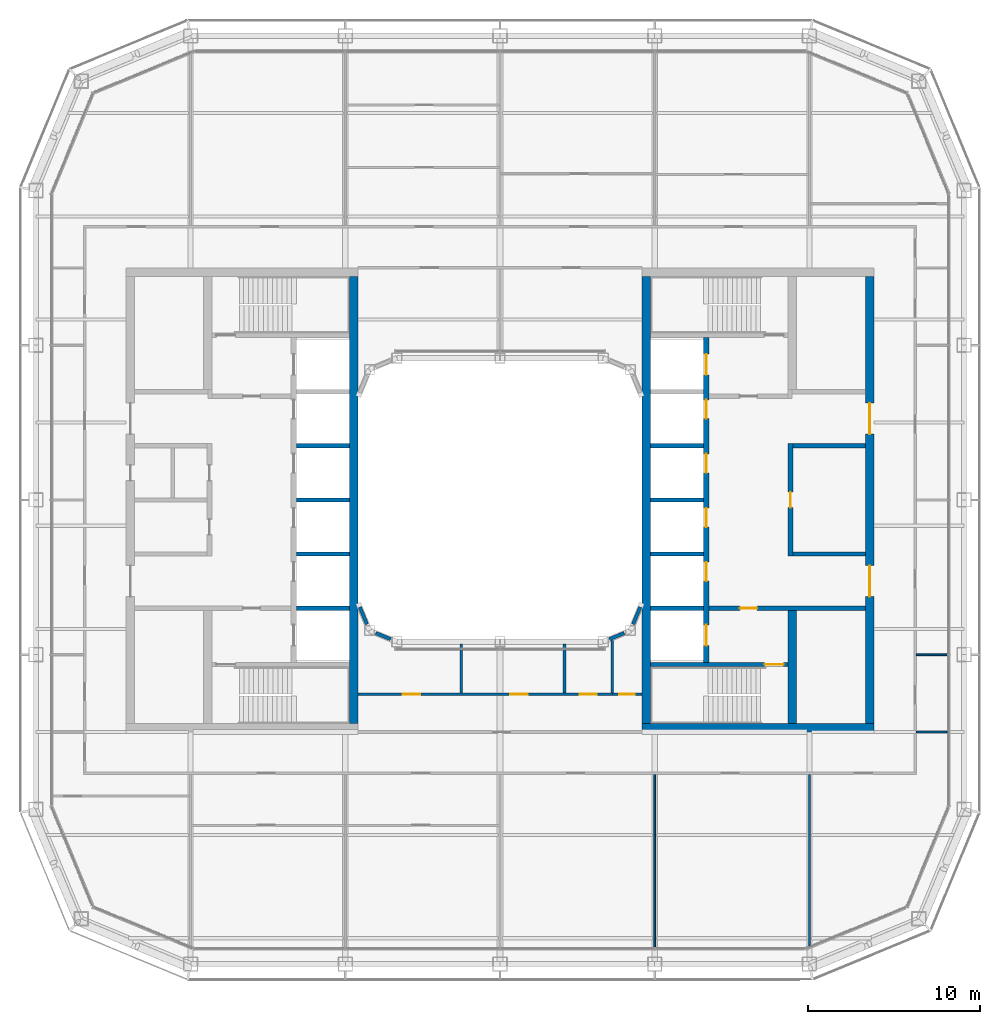
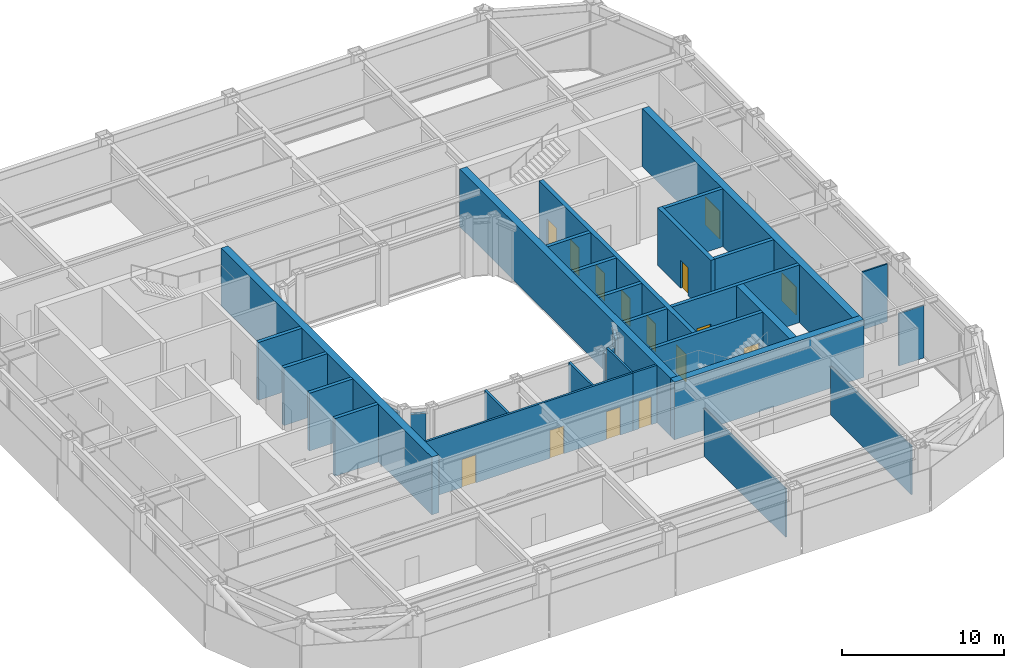
# One storey, part 13 of 19: 32 walls, 15 doors, 15 openings.
"""IFC4 building model written with IfcOpenShell, lengths in metres."""

from ifc_helpers import new_model, si_unit, direction, frame, frame_2d, origin, place, context, subcontext, project, spatial, rectangle, extrude, material, layer, layer_set, type_object, element, fill, save


model = new_model("IFC4")

# Units and contexts
model_context = context("Model", 3, precision=1e-05, world=origin(), true_north=direction((0.0, 1.0)))
body_context = subcontext(model_context, "Body", "Model", "MODEL_VIEW")
ifc_project = project(units=[si_unit("LENGTHUNIT", "METRE"), si_unit("AREAUNIT", "SQUARE_METRE"), si_unit("VOLUMEUNIT", "CUBIC_METRE"), si_unit("PLANEANGLEUNIT", "RADIAN"), si_unit("MASSUNIT", "GRAM", prefix="KILO")], contexts=[model_context])

# Site, building, storey
site_placement = place(None, origin())
site = spatial("IfcSite", under=ifc_project, at=site_placement, CompositionType="ELEMENT")
building_placement = place(site_placement, origin())
building = spatial("IfcBuilding", under=site, at=building_placement, Name="Siwar Civic Tower", CompositionType="ELEMENT")
storey_placement = place(building_placement, frame((0.0, 0.0, 210.699951171875)))
storey = spatial("IfcBuildingStorey", under=building, at=storey_placement, Name="L45", CompositionType="ELEMENT", Elevation=210.699951171875)

# Wall, opening, door
ifc_material_1 = material(Name="Gypsum board on steel studs", Category="steel")
ifc_layer_1 = layer(ifc_material_1, 0.14990234375)
ifc_layer_set_1 = layer_set([ifc_layer_1], Name="Gypsum board on steel studs")
wall_type_1 = type_object("IfcWallType", Name="COMPARTMENT PARTITION 150 EI 60", PredefinedType="PARTITIONING", material=ifc_layer_set_1)
wall_1_placement = place(storey_placement, frame((6.5400390625, -11.300048828125, 0.0), z_axis=(0.0, 0.0, 1.0), x_axis=(1.0, 0.0, 0.0)))
wall_1 = element("IfcWall", 1, at=wall_1_placement, inside=storey, type_object=wall_type_1, Name="L45/wall/P08", PredefinedType="PARTITIONING", context=body_context, shape_type="SweptSolid", body=[
    extrude(rectangle(XDim=1.7099609375, YDim=0.14990234375, at=frame_2d((0.85498046875, 0.0))), origin(), (0.0, 0.0, 1.0), 4.35009765625),
])
opening_1_placement = place(wall_1_placement, frame((0.409912109375, 0.0, 0.0)))
opening_1 = element("IfcOpeningElement", 2, at=opening_1_placement, cuts=wall_1, Name="Opening D4", PredefinedType="OPENING", context=body_context, shape_type="SweptSolid", body=[
    extrude(rectangle(XDim=0.89990234375, YDim=2.10009765625, at=frame_2d((0.449951171875, 1.050048828125))), frame((0.0, 0.0849609375, 0.0), z_axis=(0.0, -1.0, 0.0), x_axis=(1.0, 0.0, 0.0)), (0.0, 0.0, 1.0), 0.169921875),
])
ifc_material_2 = material(Name="Timber, painted", Category="wood")
door_type_1 = type_object("IfcDoorType", Name="DOOR 900 X 2100 FD60", OperationType="SINGLE_SWING_LEFT", PredefinedType="DOOR", material=ifc_material_2)
door_1_placement = place(opening_1_placement, origin())
door_1 = element("IfcDoor", 3, at=door_1_placement, inside=storey, type_object=door_type_1, Name="L45-D35", OperationType="SINGLE_SWING_LEFT", OverallHeight=2.10009765625, OverallWidth=0.89990234375, PredefinedType="DOOR", context=body_context, shape_type="SweptSolid", body=[
    extrude(rectangle(XDim=0.89990234375, YDim=2.10009765625, at=frame_2d((0.449951171875, 1.050048828125))), frame((0.0, 0.02490234375, 0.0), z_axis=(0.0, -1.0, 0.0), x_axis=(1.0, 0.0, 0.0)), (0.0, 0.0, 1.0), 0.050048828125),
])
fill(opening_1, door_1)

# Walls
wall_2_placement = place(storey_placement, frame((6.5400390625, -11.22509765625, 0.0), z_axis=(0.0, 0.0, 1.0), x_axis=(0.0, 1.0, 0.0)))
element("IfcWall", 4, at=wall_2_placement, inside=storey, type_object=wall_type_1, Name="L45/wall/P35", PredefinedType="PARTITIONING", context=body_context, shape_type="SweptSolid", body=[
    extrude(rectangle(XDim=3.0390625, YDim=0.14990234375, at=frame_2d((1.51953125, 0.0))), origin(), (0.0, 0.0, 1.0), 4.35009765625),
])
ifc_material_3 = material(Name="Concrete C60/75", Category="concrete")
ifc_layer_2 = layer(ifc_material_3, 0.25)
ifc_layer_set_2 = layer_set([ifc_layer_2], Name="Concrete C60/75")
wall_type_2 = type_object("IfcWallType", Name="CORE-WALL-RC250", PredefinedType="SHEAR", material=ifc_layer_set_2)
for number, where, z_axis, x_axis, name in (
    (5, (-8.75, 0.0, 0.0), (0.0, 0.0, 1.0), (-1.0, 0.0, 0.0), "Core wall W"),
    (6, (-8.75, 3.14990234375, 0.0), (0.0, 0.0, 1.0), (-1.0, 0.0, 0.0), "Core wall W"),
    (7, (-8.75, -3.14990234375, 0.0), (0.0, 0.0, 1.0), (-1.0, 0.0, 0.0), "Core wall W"),
    (8, (-8.75, -6.300048828125, 0.0), (0.0, 0.0, 1.0), (-1.0, 0.0, 0.0), "Core wall W"),
):
    element("IfcWall", number, at=place(storey_placement, frame(where, z_axis=z_axis, x_axis=x_axis)), inside=storey, type_object=wall_type_2, Name=name, PredefinedType="SHEAR", context=body_context, shape_type="SweptSolid", body=[
        extrude(rectangle(XDim=3.10009765625, YDim=0.25, at=frame_2d((1.550048828125, 0.0))), origin(), (0.0, 0.0, 1.0), 4.35009765625),
    ])

# Wall, opening, door
wall_3_placement = place(storey_placement, frame((12.14990234375, -6.300048828125, 0.0), z_axis=(0.0, 0.0, 1.0), x_axis=(1.0, 0.0, 0.0)))
wall_3 = element("IfcWall", 9, at=wall_3_placement, inside=storey, type_object=wall_type_2, Name="Core wall E", PredefinedType="SHEAR", context=body_context, shape_type="SweptSolid", body=[
    extrude(rectangle(XDim=9.10009765625, YDim=0.25, at=frame_2d((4.550048828125, 0.0))), origin(), (0.0, 0.0, 1.0), 4.35009765625),
])
opening_2_placement = place(wall_3_placement, frame((1.800048828125, 0.0, 0.0)))
opening_2 = element("IfcOpeningElement", 10, at=opening_2_placement, cuts=wall_3, Name="Opening L45-CE02", PredefinedType="OPENING", context=body_context, shape_type="SweptSolid", body=[
    extrude(rectangle(XDim=1.0, YDim=2.10009765625, at=frame_2d((0.5, 1.050048828125))), frame((0.0, 0.135009765625, 0.0), z_axis=(0.0, -1.0, 0.0), x_axis=(1.0, 0.0, 0.0)), (0.0, 0.0, 1.0), 0.27001953125),
])
ifc_material_4 = material(Name="Steel door leaf", Category="steel")
door_type_2 = type_object("IfcDoorType", Name="CORE-DOOR-FD30S", OperationType="SINGLE_SWING_LEFT", PredefinedType="DOOR", material=ifc_material_4)
door_2_placement = place(opening_2_placement, origin())
door_2 = element("IfcDoor", 11, at=door_2_placement, inside=storey, type_object=door_type_2, Name="Service lobby door L45-CE02", OperationType="SINGLE_SWING_LEFT", OverallHeight=2.10009765625, OverallWidth=1.0, PredefinedType="DOOR", context=body_context, shape_type="SweptSolid", body=[
    extrude(rectangle(XDim=1.0, YDim=2.10009765625, at=frame_2d((0.5, 1.050048828125))), frame((0.0, 0.02490234375, 0.0), z_axis=(0.0, -1.0, 0.0), x_axis=(1.0, 0.0, 0.0)), (0.0, 0.0, 1.0), 0.050048828125),
])
fill(opening_2, door_2)

# Walls
for number, where, z_axis, x_axis, name in (
    (12, (17.050048828125, 3.14990234375, 0.0), (0.0, 0.0, 1.0), (1.0, 0.0, 0.0), "Core wall E"),
    (13, (17.050048828125, -3.14990234375, 0.0), (0.0, 0.0, 1.0), (1.0, 0.0, 0.0), "Core wall E"),
):
    element("IfcWall", number, at=place(storey_placement, frame(where, z_axis=z_axis, x_axis=x_axis)), inside=storey, type_object=wall_type_2, Name=name, PredefinedType="SHEAR", context=body_context, shape_type="SweptSolid", body=[
        extrude(rectangle(XDim=4.199951171875, YDim=0.25, at=frame_2d((2.10009765625, 0.0))), origin(), (0.0, 0.0, 1.0), 4.35009765625),
    ])
for number, where, z_axis, x_axis, name in (
    (14, (8.75, 0.0, 0.0), (0.0, 0.0, 1.0), (1.0, 0.0, 0.0), "Core wall E"),
    (15, (8.75, 3.14990234375, 0.0), (0.0, 0.0, 1.0), (1.0, 0.0, 0.0), "Core wall E"),
    (16, (8.75, -3.14990234375, 0.0), (0.0, 0.0, 1.0), (1.0, 0.0, 0.0), "Core wall E"),
    (17, (8.75, -6.300048828125, 0.0), (0.0, 0.0, 1.0), (1.0, 0.0, 0.0), "Core wall E"),
):
    element("IfcWall", number, at=place(storey_placement, frame(where, z_axis=z_axis, x_axis=x_axis)), inside=storey, type_object=wall_type_2, Name=name, PredefinedType="SHEAR", context=body_context, shape_type="SweptSolid", body=[
        extrude(rectangle(XDim=3.10009765625, YDim=0.25, at=frame_2d((1.550048828125, 0.0))), origin(), (0.0, 0.0, 1.0), 4.35009765625),
    ])

# Wall, opening, door
wall_4_placement = place(storey_placement, frame((8.75, -9.574951171875, 0.0), z_axis=(0.0, 0.0, 1.0), x_axis=(1.0, 0.0, 0.0)))
wall_4 = element("IfcWall", 18, at=wall_4_placement, inside=storey, type_object=wall_type_2, Name="Core wall E", PredefinedType="SHEAR", context=body_context, shape_type="SweptSolid", body=[
    extrude(rectangle(XDim=8.0, YDim=0.25, at=frame_2d((4.0, 0.0))), origin(), (0.0, 0.0, 1.0), 4.35009765625),
])
opening_3_placement = place(wall_4_placement, frame((6.64990234375, 0.0, 0.0)))
opening_3 = element("IfcOpeningElement", 19, at=opening_3_placement, cuts=wall_4, Name="Opening L45-CE04", PredefinedType="OPENING", context=body_context, shape_type="SweptSolid", body=[
    extrude(rectangle(XDim=1.10009765625, YDim=2.10009765625, at=frame_2d((0.550048828125, 1.050048828125))), frame((0.0, 0.135009765625, 0.0), z_axis=(0.0, -1.0, 0.0), x_axis=(1.0, 0.0, 0.0)), (0.0, 0.0, 1.0), 0.27001953125),
])
ifc_material_5 = material(Name="Steel door leaf", Category="steel")
door_type_3 = type_object("IfcDoorType", Name="CORE-DOOR-FD60S", OperationType="SINGLE_SWING_LEFT", PredefinedType="DOOR", material=ifc_material_5)
door_3_placement = place(opening_3_placement, origin())
door_3 = element("IfcDoor", 20, at=door_3_placement, inside=storey, type_object=door_type_3, Name="Stair door L45-CE04", OperationType="SINGLE_SWING_RIGHT", OverallHeight=2.10009765625, OverallWidth=1.10009765625, PredefinedType="DOOR", context=body_context, shape_type="SweptSolid", body=[
    extrude(rectangle(XDim=1.10009765625, YDim=2.10009765625, at=frame_2d((0.550048828125, 1.050048828125))), frame((0.0, 0.02490234375, 0.0), z_axis=(0.0, -1.0, 0.0), x_axis=(1.0, 0.0, 0.0)), (0.0, 0.0, 1.0), 0.050048828125),
])
fill(opening_3, door_3)

# Wall, openings, doors
ifc_material_6 = material(Name="Concrete C60/75", Category="concrete")
ifc_layer_3 = layer(ifc_material_6, 0.300048828125)
ifc_layer_set_3 = layer_set([ifc_layer_3], Name="Concrete C60/75")
wall_type_3 = type_object("IfcWallType", Name="CORE-WALL-RC300", PredefinedType="SHEAR", material=ifc_layer_set_3)
wall_5_placement = place(storey_placement, frame((12.0, -9.449951171875, 0.0), z_axis=(0.0, 0.0, 1.0), x_axis=(0.0, 1.0, 0.0)))
wall_5 = element("IfcWall", 21, at=wall_5_placement, inside=storey, type_object=wall_type_3, Name="Core wall E", PredefinedType="SHEAR", context=body_context, shape_type="SweptSolid", body=[
    extrude(rectangle(XDim=18.89990234375, YDim=0.300048828125, at=frame_2d((9.449951171875, 0.0))), origin(), (0.0, 0.0, 1.0), 4.35009765625),
])
opening_4_placement = place(wall_5_placement, frame((4.72509765625, 0.0, 0.0)))
opening_4 = element("IfcOpeningElement", 22, at=opening_4_placement, cuts=wall_5, Name="Opening L45-CE07", PredefinedType="OPENING", context=body_context, shape_type="SweptSolid", body=[
    extrude(rectangle(XDim=1.10009765625, YDim=2.10009765625, at=frame_2d((0.550048828125, 1.050048828125))), frame((0.0, 0.16015625, 0.0), z_axis=(0.0, -1.0, 0.0), x_axis=(1.0, 0.0, 0.0)), (0.0, 0.0, 1.0), 0.320068359375),
])
opening_5_placement = place(wall_5_placement, frame((7.875, 0.0, 0.0)))
opening_5 = element("IfcOpeningElement", 23, at=opening_5_placement, cuts=wall_5, Name="Opening L45-CE08", PredefinedType="OPENING", context=body_context, shape_type="SweptSolid", body=[
    extrude(rectangle(XDim=1.10009765625, YDim=2.10009765625, at=frame_2d((0.550048828125, 1.050048828125))), frame((0.0, 0.16015625, 0.0), z_axis=(0.0, -1.0, 0.0), x_axis=(1.0, 0.0, 0.0)), (0.0, 0.0, 1.0), 0.320068359375),
])
opening_6_placement = place(wall_5_placement, frame((11.02490234375, 0.0, 0.0)))
opening_6 = element("IfcOpeningElement", 24, at=opening_6_placement, cuts=wall_5, Name="Opening L45-CE09", PredefinedType="OPENING", context=body_context, shape_type="SweptSolid", body=[
    extrude(rectangle(XDim=1.10009765625, YDim=2.10009765625, at=frame_2d((0.550048828125, 1.050048828125))), frame((0.0, 0.16015625, 0.0), z_axis=(0.0, -1.0, 0.0), x_axis=(1.0, 0.0, 0.0)), (0.0, 0.0, 1.0), 0.320068359375),
])
opening_7_placement = place(wall_5_placement, frame((14.175048828125, 0.0, 0.0)))
opening_7 = element("IfcOpeningElement", 25, at=opening_7_placement, cuts=wall_5, Name="Opening L45-CE10", PredefinedType="OPENING", context=body_context, shape_type="SweptSolid", body=[
    extrude(rectangle(XDim=1.10009765625, YDim=2.10009765625, at=frame_2d((0.550048828125, 1.050048828125))), frame((0.0, 0.16015625, 0.0), z_axis=(0.0, -1.0, 0.0), x_axis=(1.0, 0.0, 0.0)), (0.0, 0.0, 1.0), 0.320068359375),
])
opening_8_placement = place(wall_5_placement, frame((16.72509765625, 0.0, 0.0)))
opening_8 = element("IfcOpeningElement", 26, at=opening_8_placement, cuts=wall_5, Name="Opening L45-CE11", PredefinedType="OPENING", context=body_context, shape_type="SweptSolid", body=[
    extrude(rectangle(XDim=1.199951171875, YDim=2.10009765625, at=frame_2d((0.60009765625, 1.050048828125))), frame((0.0, 0.16015625, 0.0), z_axis=(0.0, -1.0, 0.0), x_axis=(1.0, 0.0, 0.0)), (0.0, 0.0, 1.0), 0.320068359375),
])
opening_9_placement = place(wall_5_placement, frame((0.97509765625, 0.0, 0.0)))
opening_9 = element("IfcOpeningElement", 27, at=opening_9_placement, cuts=wall_5, Name="Opening L45-CE12", PredefinedType="OPENING", context=body_context, shape_type="SweptSolid", body=[
    extrude(rectangle(XDim=1.199951171875, YDim=2.10009765625, at=frame_2d((0.60009765625, 1.050048828125))), frame((0.0, 0.16015625, 0.0), z_axis=(0.0, -1.0, 0.0), x_axis=(1.0, 0.0, 0.0)), (0.0, 0.0, 1.0), 0.320068359375),
])
ifc_material_7 = material(Name="Steel door leaf", Category="steel")
door_type_4 = type_object("IfcDoorType", Name="CORE-DOOR-LD", OperationType="DOUBLE_DOOR_SLIDING", PredefinedType="DOOR", material=ifc_material_7)
door_4_placement = place(opening_4_placement, origin())
door_4 = element("IfcDoor", 28, at=door_4_placement, inside=storey, type_object=door_type_4, Name="Landing door HR5 L45-CE07", OperationType="DOUBLE_DOOR_SLIDING", OverallHeight=2.10009765625, OverallWidth=1.10009765625, PredefinedType="DOOR", context=body_context, shape_type="SweptSolid", body=[
    extrude(rectangle(XDim=1.10009765625, YDim=2.10009765625, at=frame_2d((0.550048828125, 1.050048828125))), frame((0.0, 0.02490234375, 0.0), z_axis=(0.0, -1.0, 0.0), x_axis=(1.0, 0.0, 0.0)), (0.0, 0.0, 1.0), 0.050048828125),
])
fill(opening_4, door_4)
door_5_placement = place(opening_5_placement, origin())
door_5 = element("IfcDoor", 29, at=door_5_placement, inside=storey, type_object=door_type_4, Name="Landing door HR6 L45-CE08", OperationType="DOUBLE_DOOR_SLIDING", OverallHeight=2.10009765625, OverallWidth=1.10009765625, PredefinedType="DOOR", context=body_context, shape_type="SweptSolid", body=[
    extrude(rectangle(XDim=1.10009765625, YDim=2.10009765625, at=frame_2d((0.550048828125, 1.050048828125))), frame((0.0, 0.02490234375, 0.0), z_axis=(0.0, -1.0, 0.0), x_axis=(1.0, 0.0, 0.0)), (0.0, 0.0, 1.0), 0.050048828125),
])
fill(opening_5, door_5)
door_6_placement = place(opening_6_placement, origin())
door_6 = element("IfcDoor", 30, at=door_6_placement, inside=storey, type_object=door_type_4, Name="Landing door HR7 L45-CE09", OperationType="DOUBLE_DOOR_SLIDING", OverallHeight=2.10009765625, OverallWidth=1.10009765625, PredefinedType="DOOR", context=body_context, shape_type="SweptSolid", body=[
    extrude(rectangle(XDim=1.10009765625, YDim=2.10009765625, at=frame_2d((0.550048828125, 1.050048828125))), frame((0.0, 0.02490234375, 0.0), z_axis=(0.0, -1.0, 0.0), x_axis=(1.0, 0.0, 0.0)), (0.0, 0.0, 1.0), 0.050048828125),
])
fill(opening_6, door_6)
door_7_placement = place(opening_7_placement, origin())
door_7 = element("IfcDoor", 31, at=door_7_placement, inside=storey, type_object=door_type_4, Name="Landing door HR8 L45-CE10", OperationType="DOUBLE_DOOR_SLIDING", OverallHeight=2.10009765625, OverallWidth=1.10009765625, PredefinedType="DOOR", context=body_context, shape_type="SweptSolid", body=[
    extrude(rectangle(XDim=1.10009765625, YDim=2.10009765625, at=frame_2d((0.550048828125, 1.050048828125))), frame((0.0, 0.02490234375, 0.0), z_axis=(0.0, -1.0, 0.0), x_axis=(1.0, 0.0, 0.0)), (0.0, 0.0, 1.0), 0.050048828125),
])
fill(opening_7, door_7)
ifc_material_8 = material(Name="Steel door leaf", Category="steel")
door_type_5 = type_object("IfcDoorType", Name="CORE-DOOR-LDW", OperationType="DOUBLE_DOOR_SLIDING", PredefinedType="DOOR", material=ifc_material_8)
door_8_placement = place(opening_8_placement, origin())
door_8 = element("IfcDoor", 32, at=door_8_placement, inside=storey, type_object=door_type_5, Name="Landing door FF2 L45-CE11", OperationType="DOUBLE_DOOR_SLIDING", OverallHeight=2.10009765625, OverallWidth=1.199951171875, PredefinedType="DOOR", context=body_context, shape_type="SweptSolid", body=[
    extrude(rectangle(XDim=1.199951171875, YDim=2.10009765625, at=frame_2d((0.60009765625, 1.050048828125))), frame((0.0, 0.02490234375, 0.0), z_axis=(0.0, -1.0, 0.0), x_axis=(1.0, 0.0, 0.0)), (0.0, 0.0, 1.0), 0.050048828125),
])
fill(opening_8, door_8)
door_9_placement = place(opening_9_placement, origin())
door_9 = element("IfcDoor", 33, at=door_9_placement, inside=storey, type_object=door_type_5, Name="Landing door SV2 L45-CE12", OperationType="DOUBLE_DOOR_SLIDING", OverallHeight=2.10009765625, OverallWidth=1.199951171875, PredefinedType="DOOR", context=body_context, shape_type="SweptSolid", body=[
    extrude(rectangle(XDim=1.199951171875, YDim=2.10009765625, at=frame_2d((0.60009765625, 1.050048828125))), frame((0.0, 0.02490234375, 0.0), z_axis=(0.0, -1.0, 0.0), x_axis=(1.0, 0.0, 0.0)), (0.0, 0.0, 1.0), 0.050048828125),
])
fill(opening_9, door_9)

# Wall, opening, door
wall_6_placement = place(storey_placement, frame((16.89990234375, -3.27490234375, 0.0), z_axis=(0.0, 0.0, 1.0), x_axis=(0.0, 1.0, 0.0)))
wall_6 = element("IfcWall", 34, at=wall_6_placement, inside=storey, type_object=wall_type_3, Name="Core wall E", PredefinedType="SHEAR", context=body_context, shape_type="SweptSolid", body=[
    extrude(rectangle(XDim=6.5498046875, YDim=0.300048828125, at=frame_2d((3.27490234375, 0.0))), origin(), (0.0, 0.0, 1.0), 4.35009765625),
])
opening_10_placement = place(wall_6_placement, frame((2.824951171875, 0.0, 0.0)))
opening_10 = element("IfcOpeningElement", 35, at=opening_10_placement, cuts=wall_6, Name="Opening L45-CE13", PredefinedType="OPENING", context=body_context, shape_type="SweptSolid", body=[
    extrude(rectangle(XDim=0.89990234375, YDim=2.10009765625, at=frame_2d((0.449951171875, 1.050048828125))), frame((0.0, 0.16015625, 0.0), z_axis=(0.0, -1.0, 0.0), x_axis=(1.0, 0.0, 0.0)), (0.0, 0.0, 1.0), 0.320068359375),
])
ifc_material_9 = material(Name="Steel door leaf", Category="steel")
door_type_6 = type_object("IfcDoorType", Name="CORE-DOOR-ROOM", OperationType="SINGLE_SWING_LEFT", PredefinedType="DOOR", material=ifc_material_9)
door_10_placement = place(opening_10_placement, origin())
door_10 = element("IfcDoor", 36, at=door_10_placement, inside=storey, type_object=door_type_6, Name="Core room door L45-CE13", OperationType="SINGLE_SWING_LEFT", OverallHeight=2.10009765625, OverallWidth=0.89990234375, PredefinedType="DOOR", context=body_context, shape_type="SweptSolid", body=[
    extrude(rectangle(XDim=0.89990234375, YDim=2.10009765625, at=frame_2d((0.449951171875, 1.050048828125))), frame((0.0, 0.02490234375, 0.0), z_axis=(0.0, -1.0, 0.0), x_axis=(1.0, 0.0, 0.0)), (0.0, 0.0, 1.0), 0.050048828125),
])
fill(opening_10, door_10)

# Wall, openings, doors
ifc_material_10 = material(Name="Concrete C60/75", Category="concrete")
ifc_layer_4 = layer(ifc_material_10, 0.5)
ifc_layer_set_4 = layer_set([ifc_layer_4], Name="Concrete C60/75")
wall_type_4 = type_object("IfcWallType", Name="CORE-WALL-RC500", PredefinedType="SHEAR", material=ifc_layer_set_4)
wall_7_placement = place(storey_placement, frame((21.5, -13.0, 0.0), z_axis=(0.0, 0.0, 1.0), x_axis=(0.0, 1.0, 0.0)))
wall_7 = element("IfcWall", 37, at=wall_7_placement, inside=storey, type_object=wall_type_4, Name="Core wall E", PredefinedType="SHEAR", context=body_context, shape_type="SweptSolid", body=[
    extrude(rectangle(XDim=26.0, YDim=0.5, at=frame_2d((13.0, 0.0))), origin(), (0.0, 0.0, 1.0), 4.35009765625),
])
opening_11_placement = place(wall_7_placement, frame((16.824951171875, 0.0, 0.0)))
opening_11 = element("IfcOpeningElement", 38, at=opening_11_placement, cuts=wall_7, Name="Opening L45-CE05", PredefinedType="OPENING", context=body_context, shape_type="SweptSolid", body=[
    extrude(rectangle(XDim=1.800048828125, YDim=2.10009765625, at=frame_2d((0.89990234375, 1.050048828125))), frame((0.0, 0.260009765625, 0.0), z_axis=(0.0, -1.0, 0.0), x_axis=(1.0, 0.0, 0.0)), (0.0, 0.0, 1.0), 0.52001953125),
])
opening_12_placement = place(wall_7_placement, frame((7.375, 0.0, 0.0)))
opening_12 = element("IfcOpeningElement", 39, at=opening_12_placement, cuts=wall_7, Name="Opening L45-CE06", PredefinedType="OPENING", context=body_context, shape_type="SweptSolid", body=[
    extrude(rectangle(XDim=1.800048828125, YDim=2.10009765625, at=frame_2d((0.89990234375, 1.050048828125))), frame((0.0, 0.260009765625, 0.0), z_axis=(0.0, -1.0, 0.0), x_axis=(1.0, 0.0, 0.0)), (0.0, 0.0, 1.0), 0.52001953125),
])
ifc_material_11 = material(Name="Steel door leaf", Category="steel")
door_type_7 = type_object("IfcDoorType", Name="CORE-DOOR-PORT", OperationType="DOUBLE_DOOR_DOUBLE_SWING", PredefinedType="DOOR", material=ifc_material_11)
door_11_placement = place(opening_11_placement, origin())
door_11 = element("IfcDoor", 40, at=door_11_placement, inside=storey, type_object=door_type_7, Name="Core entrance door L45-CE05", OperationType="DOUBLE_DOOR_DOUBLE_SWING", OverallHeight=2.10009765625, OverallWidth=1.800048828125, PredefinedType="DOOR", context=body_context, shape_type="SweptSolid", body=[
    extrude(rectangle(XDim=1.800048828125, YDim=2.10009765625, at=frame_2d((0.89990234375, 1.050048828125))), frame((0.0, 0.02490234375, 0.0), z_axis=(0.0, -1.0, 0.0), x_axis=(1.0, 0.0, 0.0)), (0.0, 0.0, 1.0), 0.050048828125),
])
fill(opening_11, door_11)
door_12_placement = place(opening_12_placement, origin())
door_12 = element("IfcDoor", 41, at=door_12_placement, inside=storey, type_object=door_type_7, Name="Core entrance door L45-CE06", OperationType="DOUBLE_DOOR_DOUBLE_SWING", OverallHeight=2.10009765625, OverallWidth=1.800048828125, PredefinedType="DOOR", context=body_context, shape_type="SweptSolid", body=[
    extrude(rectangle(XDim=1.800048828125, YDim=2.10009765625, at=frame_2d((0.89990234375, 1.050048828125))), frame((0.0, 0.02490234375, 0.0), z_axis=(0.0, -1.0, 0.0), x_axis=(1.0, 0.0, 0.0)), (0.0, 0.0, 1.0), 0.050048828125),
])
fill(opening_12, door_12)

# Walls
wall_8_placement = place(storey_placement, frame((17.0, -13.0, 0.0), z_axis=(0.0, 0.0, 1.0), x_axis=(0.0, 1.0, 0.0)))
element("IfcWall", 42, at=wall_8_placement, inside=storey, type_object=wall_type_4, Name="Core wall E", PredefinedType="SHEAR", context=body_context, shape_type="SweptSolid", body=[
    extrude(rectangle(XDim=6.574951171875, YDim=0.5, at=frame_2d((3.28759765625, 0.0))), origin(), (0.0, 0.0, 1.0), 4.35009765625),
])
wall_9_placement = place(storey_placement, frame((8.25, -13.25, 0.0), z_axis=(0.0, 0.0, 1.0), x_axis=(1.0, 0.0, 0.0)))
element("IfcWall", 43, at=wall_9_placement, inside=storey, type_object=wall_type_4, Name="Core wall E", PredefinedType="SHEAR", context=body_context, shape_type="SweptSolid", body=[
    extrude(rectangle(XDim=13.5, YDim=0.5, at=frame_2d((6.75, 0.0))), origin(), (0.0, 0.0, 1.0), 4.35009765625),
])
ifc_material_12 = material(Name="Concrete C60/75", Category="concrete")
ifc_layer_5 = layer(ifc_material_12, 0.5)
ifc_layer_set_5 = layer_set([ifc_layer_5], Name="Concrete C60/75")
wall_type_5 = type_object("IfcWallType", Name="CORE-WALL-RC500-EXT", PredefinedType="SHEAR", material=ifc_layer_set_5)
for number, where, z_axis, x_axis, name in (
    (44, (-8.5, -13.0, 0.0), (0.0, 0.0, 1.0), (0.0, 1.0, 0.0), "Core wall W"),
    (45, (8.5, -13.0, 0.0), (0.0, 0.0, 1.0), (0.0, 1.0, 0.0), "Core wall E"),
):
    element("IfcWall", number, at=place(storey_placement, frame(where, z_axis=z_axis, x_axis=x_axis)), inside=storey, type_object=wall_type_5, Name=name, PredefinedType="SHEAR", context=body_context, shape_type="SweptSolid", body=[
        extrude(rectangle(XDim=26.0, YDim=0.5, at=frame_2d((13.0, 0.0))), origin(), (0.0, 0.0, 1.0), 4.35009765625),
    ])

# Wall, openings, doors
ifc_material_13 = material(Name="Gypsum board on steel studs", Category="steel")
ifc_layer_6 = layer(ifc_material_13, 0.14990234375)
ifc_layer_set_6 = layer_set([ifc_layer_6], Name="Gypsum board on steel studs")
wall_type_6 = type_object("IfcWallType", Name="CORRIDOR PARTITION 150 EI 30", PredefinedType="PARTITIONING", material=ifc_layer_set_6)
wall_10_placement = place(storey_placement, frame((-8.25, -11.300048828125, 0.0), z_axis=(0.0, 0.0, 1.0), x_axis=(1.0, 0.0, 0.0)))
wall_10 = element("IfcWall", 46, at=wall_10_placement, inside=storey, type_object=wall_type_6, Name="L45/wall/P07", PredefinedType="PARTITIONING", context=body_context, shape_type="SweptSolid", body=[
    extrude(rectangle(XDim=14.7900390625, YDim=0.14990234375, at=frame_2d((7.39501953125, 0.0))), origin(), (0.0, 0.0, 1.0), 4.35009765625),
])
opening_13_placement = place(wall_10_placement, frame((2.60009765625, 0.0, 0.0)))
opening_13 = element("IfcOpeningElement", 47, at=opening_13_placement, cuts=wall_10, Name="Opening D3", PredefinedType="OPENING", context=body_context, shape_type="SweptSolid", body=[
    extrude(rectangle(XDim=1.0, YDim=2.10009765625, at=frame_2d((0.5, 1.050048828125))), frame((0.0, 0.0849609375, 0.0), z_axis=(0.0, -1.0, 0.0), x_axis=(1.0, 0.0, 0.0)), (0.0, 0.0, 1.0), 0.169921875),
])
opening_14_placement = place(wall_10_placement, frame((8.85009765625, 0.0, 0.0)))
opening_14 = element("IfcOpeningElement", 48, at=opening_14_placement, cuts=wall_10, Name="Opening D3", PredefinedType="OPENING", context=body_context, shape_type="SweptSolid", body=[
    extrude(rectangle(XDim=1.0, YDim=2.10009765625, at=frame_2d((0.5, 1.050048828125))), frame((0.0, 0.0849609375, 0.0), z_axis=(0.0, -1.0, 0.0), x_axis=(1.0, 0.0, 0.0)), (0.0, 0.0, 1.0), 0.169921875),
])
opening_15_placement = place(wall_10_placement, frame((12.889892578125, 0.0, 0.0)))
opening_15 = element("IfcOpeningElement", 49, at=opening_15_placement, cuts=wall_10, Name="Opening D3", PredefinedType="OPENING", context=body_context, shape_type="SweptSolid", body=[
    extrude(rectangle(XDim=1.0, YDim=2.10009765625, at=frame_2d((0.5, 1.050048828125))), frame((0.0, 0.0849609375, 0.0), z_axis=(0.0, -1.0, 0.0), x_axis=(1.0, 0.0, 0.0)), (0.0, 0.0, 1.0), 0.169921875),
])
ifc_material_14 = material(Name="Timber, painted", Category="wood")
door_type_8 = type_object("IfcDoorType", Name="DOOR 1000 X 2100 WC", OperationType="SINGLE_SWING_LEFT", PredefinedType="DOOR", material=ifc_material_14)
door_13_placement = place(opening_13_placement, origin())
door_13 = element("IfcDoor", 50, at=door_13_placement, inside=storey, type_object=door_type_8, Name="L45-D32", OperationType="SINGLE_SWING_RIGHT", OverallHeight=2.10009765625, OverallWidth=1.0, PredefinedType="DOOR", context=body_context, shape_type="SweptSolid", body=[
    extrude(rectangle(XDim=1.0, YDim=2.10009765625, at=frame_2d((0.5, 1.050048828125))), frame((0.0, 0.02490234375, 0.0), z_axis=(0.0, -1.0, 0.0), x_axis=(1.0, 0.0, 0.0)), (0.0, 0.0, 1.0), 0.050048828125),
])
fill(opening_13, door_13)
door_14_placement = place(opening_14_placement, origin())
door_14 = element("IfcDoor", 51, at=door_14_placement, inside=storey, type_object=door_type_8, Name="L45-D33", OperationType="SINGLE_SWING_LEFT", OverallHeight=2.10009765625, OverallWidth=1.0, PredefinedType="DOOR", context=body_context, shape_type="SweptSolid", body=[
    extrude(rectangle(XDim=1.0, YDim=2.10009765625, at=frame_2d((0.5, 1.050048828125))), frame((0.0, 0.02490234375, 0.0), z_axis=(0.0, -1.0, 0.0), x_axis=(1.0, 0.0, 0.0)), (0.0, 0.0, 1.0), 0.050048828125),
])
fill(opening_14, door_14)
door_15_placement = place(opening_15_placement, origin())
door_15 = element("IfcDoor", 52, at=door_15_placement, inside=storey, type_object=door_type_8, Name="L45-D34", OperationType="SINGLE_SWING_RIGHT", OverallHeight=2.10009765625, OverallWidth=1.0, PredefinedType="DOOR", context=body_context, shape_type="SweptSolid", body=[
    extrude(rectangle(XDim=1.0, YDim=2.10009765625, at=frame_2d((0.5, 1.050048828125))), frame((0.0, 0.02490234375, 0.0), z_axis=(0.0, -1.0, 0.0), x_axis=(1.0, 0.0, 0.0)), (0.0, 0.0, 1.0), 0.050048828125),
])
fill(opening_15, door_15)

# Walls
for number, where, z_axis, x_axis, name in (
    (53, (-2.25, -11.22509765625, 0.0), (0.0, 0.0, 1.0), (0.0, 1.0, 0.0), "L45/wall/P30"),
    (54, (3.75, -11.22509765625, 0.0), (0.0, 0.0, 1.0), (0.0, 1.0, 0.0), "L45/wall/P34"),
):
    element("IfcWall", number, at=place(storey_placement, frame(where, z_axis=z_axis, x_axis=x_axis)), inside=storey, type_object=wall_type_6, Name=name, PredefinedType="PARTITIONING", context=body_context, shape_type="SweptSolid", body=[
        extrude(rectangle(XDim=2.85498046875, YDim=0.14990234375, at=frame_2d((1.427490234375, 0.0))), origin(), (0.0, 0.0, 1.0), 4.35009765625),
    ])
ifc_material_15 = material(Name="Aluminium clad insulated panel", Category="aluminium")
ifc_layer_7 = layer(ifc_material_15, 0.199951171875)
ifc_layer_set_7 = layer_set([ifc_layer_7], Name="Aluminium clad insulated panel")
wall_type_7 = type_object("IfcWallType", Name="ENV-WALL-WELL", PredefinedType="STANDARD", material=ifc_layer_set_7)
wall_11_placement = place(storey_placement, frame((6.362060546875, -8.10009765625, 0.0), z_axis=(0.0, 0.0, 1.0), x_axis=(0.923829670615, 0.382803787458, 0.0)))
element("IfcWall", 55, at=wall_11_placement, inside=storey, type_object=wall_type_7, Name="Light well corner wall SE1", PredefinedType="STANDARD", context=body_context, shape_type="SweptSolid", body=[
    extrude(rectangle(XDim=0.938232421875, YDim=0.199951171875, at=frame_2d((0.46923828125, 0.0))), origin(), (0.0, 0.0, 1.0), 3.91796875),
])
for number, where, z_axis, x_axis, name in (
    (56, (7.740966796875, -7.228759765625, 0.0), (0.0, 0.0, 1.0), (0.382704496366, 0.923870807235, 0.0), "Light well corner wall SE2"),
    (57, (-8.154296875, -6.23095703125, 0.0), (0.0, 0.0, 1.0), (0.382704496366, -0.923870807235, 0.0), "Light well corner wall SW1"),
):
    element("IfcWall", number, at=place(storey_placement, frame(where, z_axis=z_axis, x_axis=x_axis)), inside=storey, type_object=wall_type_7, Name=name, PredefinedType="STANDARD", context=body_context, shape_type="SweptSolid", body=[
        extrude(rectangle(XDim=1.080078125, YDim=0.199951171875, at=frame_2d((0.5400390625, 0.0))), origin(), (0.0, 0.0, 1.0), 3.91796875),
    ])
wall_12_placement = place(storey_placement, frame((-7.228759765625, -7.740966796875, 0.0), z_axis=(0.0, 0.0, 1.0), x_axis=(0.923829670615, -0.382803787458, 0.0)))
element("IfcWall", 58, at=wall_12_placement, inside=storey, type_object=wall_type_7, Name="Light well corner wall SW2", PredefinedType="STANDARD", context=body_context, shape_type="SweptSolid", body=[
    extrude(rectangle(XDim=0.938232421875, YDim=0.199951171875, at=frame_2d((0.46923828125, 0.0))), origin(), (0.0, 0.0, 1.0), 3.91796875),
])
ifc_material_16 = material(Name="Gypsum board on steel studs", Category="steel")
ifc_layer_8 = layer(ifc_material_16, 0.10009765625)
ifc_layer_set_8 = layer_set([ifc_layer_8], Name="Gypsum board on steel studs")
wall_type_8 = type_object("IfcWallType", Name="PARTITION 100 GYPSUM", PredefinedType="PARTITIONING", material=ifc_layer_set_8)
wall_13_placement = place(storey_placement, frame((24.22509765625, -13.5, 0.0), z_axis=(0.0, 0.0, 1.0), x_axis=(1.0, 0.0, 0.0)))
element("IfcWall", 59, at=wall_13_placement, inside=storey, type_object=wall_type_8, Name="L45/wall/P05", PredefinedType="PARTITIONING", context=body_context, shape_type="SweptSolid", body=[
    extrude(rectangle(XDim=1.784912109375, YDim=0.10009765625, at=frame_2d((0.892578125, 0.0))), origin(), (0.0, 0.0, 1.0), 3.949951171875),
])
wall_14_placement = place(storey_placement, frame((24.22509765625, -9.0, 0.0), z_axis=(0.0, 0.0, 1.0), x_axis=(1.0, 0.0, 0.0)))
element("IfcWall", 60, at=wall_14_placement, inside=storey, type_object=wall_type_8, Name="L45/wall/P10", PredefinedType="PARTITIONING", context=body_context, shape_type="SweptSolid", body=[
    extrude(rectangle(XDim=1.784912109375, YDim=0.10009765625, at=frame_2d((0.892578125, 0.0))), origin(), (0.0, 0.0, 1.0), 4.35009765625),
])
wall_15_placement = place(storey_placement, frame((9.0, -26.010009765625, 0.0), z_axis=(0.0, 0.0, 1.0), x_axis=(0.0, 1.0, 0.0)))
element("IfcWall", 61, at=wall_15_placement, inside=storey, type_object=wall_type_8, Name="L45/wall/P36", PredefinedType="PARTITIONING", context=body_context, shape_type="SweptSolid", body=[
    extrude(rectangle(XDim=10.034912109375, YDim=0.10009765625, at=frame_2d((5.017578125, 0.0))), origin(), (0.0, 0.0, 1.0), 3.650146484375),
])
wall_16_placement = place(storey_placement, frame((18.0, -25.927978515625, 0.0), z_axis=(0.0, 0.0, 1.0), x_axis=(0.0, 1.0, 0.0)))
element("IfcWall", 62, at=wall_16_placement, inside=storey, type_object=wall_type_8, Name="L45/wall/P38", PredefinedType="PARTITIONING", context=body_context, shape_type="SweptSolid", body=[
    extrude(rectangle(XDim=9.952880859375, YDim=0.10009765625, at=frame_2d((4.9765625, 0.0))), origin(), (0.0, 0.0, 1.0), 3.650146484375),
])

save(model, "model.ifc")
